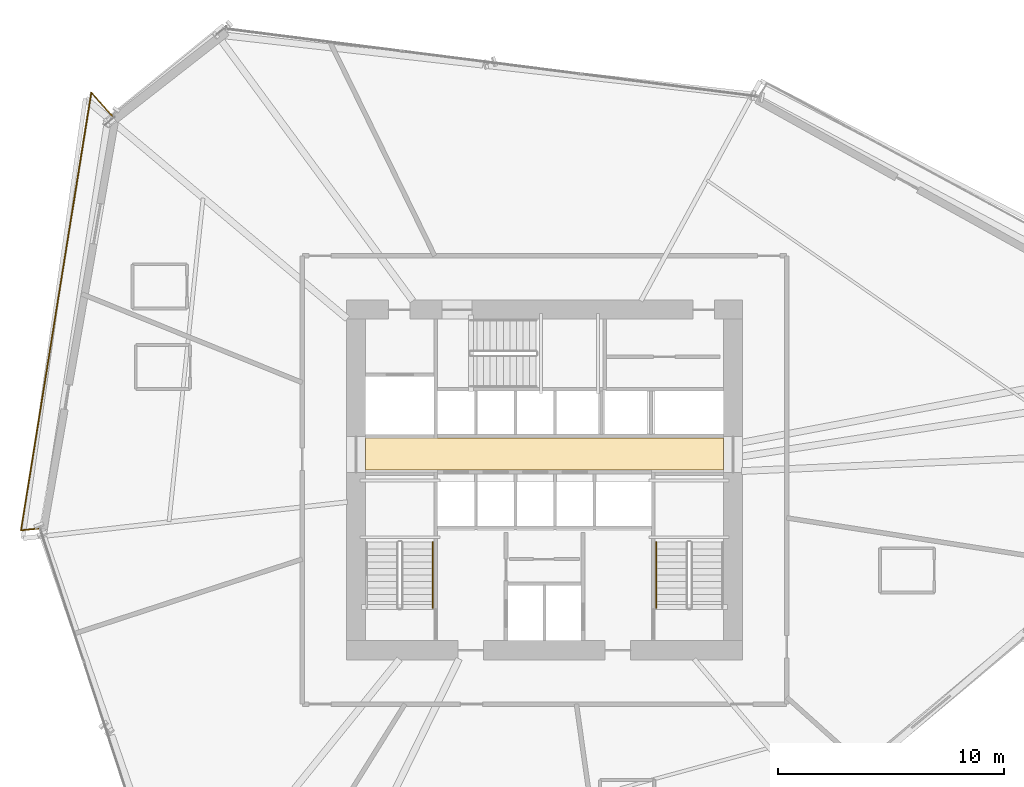
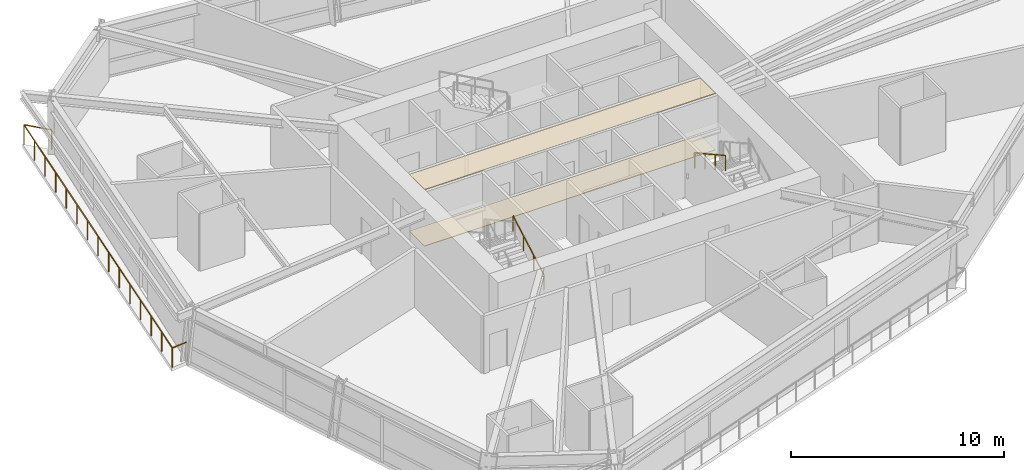
# One storey, part 20 of 22: 3 railings, 2 coverings.
"""IFC4 building model written with IfcOpenShell, lengths in metres."""

from ifc_helpers import new_model, si_unit, direction, frame, origin, origin_2d, place, context, subcontext, project, spatial, polyline, rectangle, outline, extrude, material, layer, layer_set, type_object, element, save


model = new_model("IFC4")

# Units and contexts
model_context = context("Model", 3, precision=1e-05, world=origin(), true_north=direction((0.0, 1.0)))
body_context = subcontext(model_context, "Body", "Model", "MODEL_VIEW")
ifc_project = project(units=[si_unit("LENGTHUNIT", "METRE"), si_unit("AREAUNIT", "SQUARE_METRE"), si_unit("VOLUMEUNIT", "CUBIC_METRE"), si_unit("PLANEANGLEUNIT", "RADIAN"), si_unit("MASSUNIT", "GRAM", prefix="KILO")], contexts=[model_context])

# Site, building, storey
site_placement = place(None, origin())
site = spatial("IfcSite", under=ifc_project, at=site_placement, CompositionType="ELEMENT")
building_placement = place(site_placement, origin())
building = spatial("IfcBuilding", under=site, at=building_placement, Name="Olszyna Solenne Hotel", CompositionType="ELEMENT")
storey_placement = place(building_placement, frame((0.0, 0.0, 57.699951171875)))
storey = spatial("IfcBuildingStorey", under=building, at=storey_placement, Name="L14", CompositionType="ELEMENT", Elevation=57.699951171875)

# Coverings
ifc_material_1 = material(Name="Mineral wool acoustic ceiling")
ifc_layer_1 = layer(ifc_material_1, 0.0400390625, Name="Mineral wool acoustic ceiling")
ifc_layer_set_1 = layer_set([ifc_layer_1], Name="Mineral wool acoustic ceiling")
covering_type_1 = type_object("IfcCoveringType", Name="CL-AC1", PredefinedType="CEILING", material=ifc_layer_set_1)
covering_1_placement = place(storey_placement, frame((0.0, 0.0, 3.239990234375)))
element("IfcCovering", 1, at=covering_1_placement, inside=storey, type_object=covering_type_1, Name="Lift lobby acoustic tile ceiling CL-L14-01", PredefinedType="CEILING", context=body_context, shape_type="SweptSolid", body=[
    extrude(outline(polyline([(30.10009765625, 27.030029296875), (45.89990234375, 27.030029296875), (45.89990234375, 28.4599609375), (30.10009765625, 28.4599609375), (30.10009765625, 27.030029296875)])), origin(), (0.0, 0.0, 1.0), 0.0400390625),
])
ifc_material_2 = material(Name="Ceramic floor tile")
ifc_layer_2 = layer(ifc_material_2, 0.030029296875, Name="Ceramic floor tile")
ifc_layer_set_2 = layer_set([ifc_layer_2], Name="Ceramic floor tile")
covering_type_2 = type_object("IfcCoveringType", Name="FL-TL1", PredefinedType="FLOORING", material=ifc_layer_set_2)
covering_2_placement = place(storey_placement, origin())
element("IfcCovering", 2, at=covering_2_placement, inside=storey, type_object=covering_type_2, Name="Lift lobby stoneware floor finish FLR-L14-01", PredefinedType="FLOORING", context=body_context, shape_type="SweptSolid", body=[
    extrude(outline(polyline([(30.10009765625, 27.030029296875), (45.89990234375, 27.030029296875), (45.89990234375, 28.4599609375), (30.10009765625, 28.4599609375), (30.10009765625, 27.030029296875)])), origin(), (0.0, 0.0, 1.0), 0.030029296875),
])

# Railings
ifc_material_3 = material(Name="Anodised bronze aluminium", Category="aluminium")
railing_type_1 = type_object("IfcRailingType", Name="GR-110", PredefinedType="BALUSTRADE", material=ifc_material_3)
railing_1_placement = place(storey_placement, frame((18.903076171875, 42.68359375, 0.0)))
element("IfcRailing", 3, at=railing_1_placement, inside=storey, type_object=railing_type_1, Name="Loggia balcony balustrade guard GR-L14-LG2", PredefinedType="BALUSTRADE", context=body_context, shape_type="SweptSolid", body=[
    extrude(rectangle(XDim=0.048095703125, YDim=0.048095703125, at=origin_2d()), frame((0.0, 0.0, 1.1259765625), z_axis=(-0.668681102335, 0.743549314693, 0.0), x_axis=(-0.743549314693, -0.668681102335, 0.0)), (0.0, 0.0, 1.0), 1.37939453125),
    extrude(rectangle(XDim=0.048095703125, YDim=0.048095703125, at=origin_2d()), frame((-0.92236328125, 1.025634765625, 1.1259765625), z_axis=(-0.158555477962, -0.987350069837, 0.0), x_axis=(0.987350069837, -0.158555477962, 0.0)), (0.0, 0.0, 1.0), 19.5830078125),
    extrude(rectangle(XDim=0.048095703125, YDim=0.048095703125, at=origin_2d()), frame((-4.02734375, -18.3095703125, 1.1259765625), z_axis=(0.994826406991, 0.101589467729, 0.0), x_axis=(-0.101589467729, 0.994826406991, 0.0)), (0.0, 0.0, 1.0), 0.845947265625),
    extrude(rectangle(XDim=0.0419921875, YDim=0.0419921875, at=origin_2d()), origin(), (0.0, 0.0, 1.0), 1.101806640625),
    extrude(rectangle(XDim=0.0419921875, YDim=0.0419921875, at=origin_2d()), frame((-0.92236328125, 1.025634765625, 0.0)), (0.0, 0.0, 1.0), 1.101806640625),
    extrude(rectangle(XDim=0.0419921875, YDim=0.0419921875, at=origin_2d()), frame((-1.14404296875, -0.35546875, 0.0)), (0.0, 0.0, 1.0), 1.101806640625),
    extrude(rectangle(XDim=0.0419921875, YDim=0.0419921875, at=origin_2d()), frame((-1.365966796875, -1.736572265625, 0.0)), (0.0, 0.0, 1.0), 1.101806640625),
    extrude(rectangle(XDim=0.0419921875, YDim=0.0419921875, at=origin_2d()), frame((-1.587646484375, -3.11767578125, 0.0)), (0.0, 0.0, 1.0), 1.101806640625),
    extrude(rectangle(XDim=0.0419921875, YDim=0.0419921875, at=origin_2d()), frame((-1.8095703125, -4.498779296875, 0.0)), (0.0, 0.0, 1.0), 1.101806640625),
    extrude(rectangle(XDim=0.0419921875, YDim=0.0419921875, at=origin_2d()), frame((-2.03125, -5.8798828125, 0.0)), (0.0, 0.0, 1.0), 1.101806640625),
    extrude(rectangle(XDim=0.0419921875, YDim=0.0419921875, at=origin_2d()), frame((-2.253173828125, -7.260986328125, 0.0)), (0.0, 0.0, 1.0), 1.101806640625),
    extrude(rectangle(XDim=0.0419921875, YDim=0.0419921875, at=origin_2d()), frame((-2.474853515625, -8.64208984375, 0.0)), (0.0, 0.0, 1.0), 1.101806640625),
    extrude(rectangle(XDim=0.0419921875, YDim=0.0419921875, at=origin_2d()), frame((-2.696533203125, -10.02294921875, 0.0)), (0.0, 0.0, 1.0), 1.101806640625),
    extrude(rectangle(XDim=0.0419921875, YDim=0.0419921875, at=origin_2d()), frame((-2.91845703125, -11.404052734375, 0.0)), (0.0, 0.0, 1.0), 1.101806640625),
    extrude(rectangle(XDim=0.0419921875, YDim=0.0419921875, at=origin_2d()), frame((-3.14013671875, -12.78515625, 0.0)), (0.0, 0.0, 1.0), 1.101806640625),
    extrude(rectangle(XDim=0.0419921875, YDim=0.0419921875, at=origin_2d()), frame((-3.362060546875, -14.166259765625, 0.0)), (0.0, 0.0, 1.0), 1.101806640625),
    extrude(rectangle(XDim=0.0419921875, YDim=0.0419921875, at=origin_2d()), frame((-3.583740234375, -15.54736328125, 0.0)), (0.0, 0.0, 1.0), 1.101806640625),
    extrude(rectangle(XDim=0.0419921875, YDim=0.0419921875, at=origin_2d()), frame((-3.8056640625, -16.928466796875, 0.0)), (0.0, 0.0, 1.0), 1.101806640625),
    extrude(rectangle(XDim=0.0419921875, YDim=0.0419921875, at=origin_2d()), frame((-4.02734375, -18.3095703125, 0.0)), (0.0, 0.0, 1.0), 1.101806640625),
    extrude(rectangle(XDim=0.0419921875, YDim=0.0419921875, at=origin_2d()), frame((-3.185791015625, -18.2236328125, 0.0)), (0.0, 0.0, 1.0), 1.101806640625),
])
ifc_material_4 = material(Name="Steel S355J2", Category="steel")
railing_type_2 = type_object("IfcRailingType", Name="HR-090", PredefinedType="HANDRAIL", material=ifc_material_4)
railing_2_placement = place(storey_placement, frame((33.070068359375, 20.949951171875, 0.161376953125)))
element("IfcRailing", 4, at=railing_2_placement, inside=storey, type_object=railing_type_2, Name="L14 ST1 stair handrail 1", PredefinedType="HANDRAIL", context=body_context, shape_type="SweptSolid", body=[
    extrude(rectangle(XDim=0.048095703125, YDim=0.048095703125, at=origin_2d()), frame((0.0, 0.0, 0.8759765625), z_axis=(0.0, 0.873827439584, 0.48623616261), x_axis=(-1.0, 0.0, 0.0)), (0.0, 0.0, 1.0), 3.31884765625),
    extrude(rectangle(XDim=0.0419921875, YDim=0.0419921875, at=origin_2d()), origin(), (0.0, 0.0, 1.0), 0.851806640625),
    extrude(rectangle(XDim=0.0419921875, YDim=0.0419921875, at=origin_2d()), frame((0.0, 0.966796875, 0.537841796875)), (0.0, 0.0, 1.0), 0.851806640625),
    extrude(rectangle(XDim=0.0419921875, YDim=0.0419921875, at=origin_2d()), frame((0.0, 1.933349609375, 1.075927734375)), (0.0, 0.0, 1.0), 0.851806640625),
    extrude(rectangle(XDim=0.0419921875, YDim=0.0419921875, at=origin_2d()), frame((0.0, 2.900146484375, 1.61376953125)), (0.0, 0.0, 1.0), 0.851806640625),
])
railing_3_placement = place(storey_placement, frame((42.929931640625, 23.85009765625, 1.9365234375)))
element("IfcRailing", 5, at=railing_3_placement, inside=storey, type_object=railing_type_2, Name="L14 ST2 stair handrail 2", PredefinedType="HANDRAIL", context=body_context, shape_type="SweptSolid", body=[
    extrude(rectangle(XDim=0.048095703125, YDim=0.048095703125, at=origin_2d()), frame((0.0, 0.0, 0.8759765625), z_axis=(0.0, -0.873858693841, 0.486179990537), x_axis=(1.0, 0.0, 0.0)), (0.0, 0.0, 1.0), 3.31884765625),
    extrude(rectangle(XDim=0.0419921875, YDim=0.0419921875, at=origin_2d()), origin(), (0.0, 0.0, 1.0), 0.851806640625),
    extrude(rectangle(XDim=0.0419921875, YDim=0.0419921875, at=origin_2d()), frame((0.0, -0.966796875, 0.537841796875)), (0.0, 0.0, 1.0), 0.851806640625),
    extrude(rectangle(XDim=0.0419921875, YDim=0.0419921875, at=origin_2d()), frame((0.0, -1.933349609375, 1.07568359375)), (0.0, 0.0, 1.0), 0.851806640625),
    extrude(rectangle(XDim=0.0419921875, YDim=0.0419921875, at=origin_2d()), frame((0.0, -2.900146484375, 1.613525390625)), (0.0, 0.0, 1.0), 0.851806640625),
])

save(model, "model.ifc")
